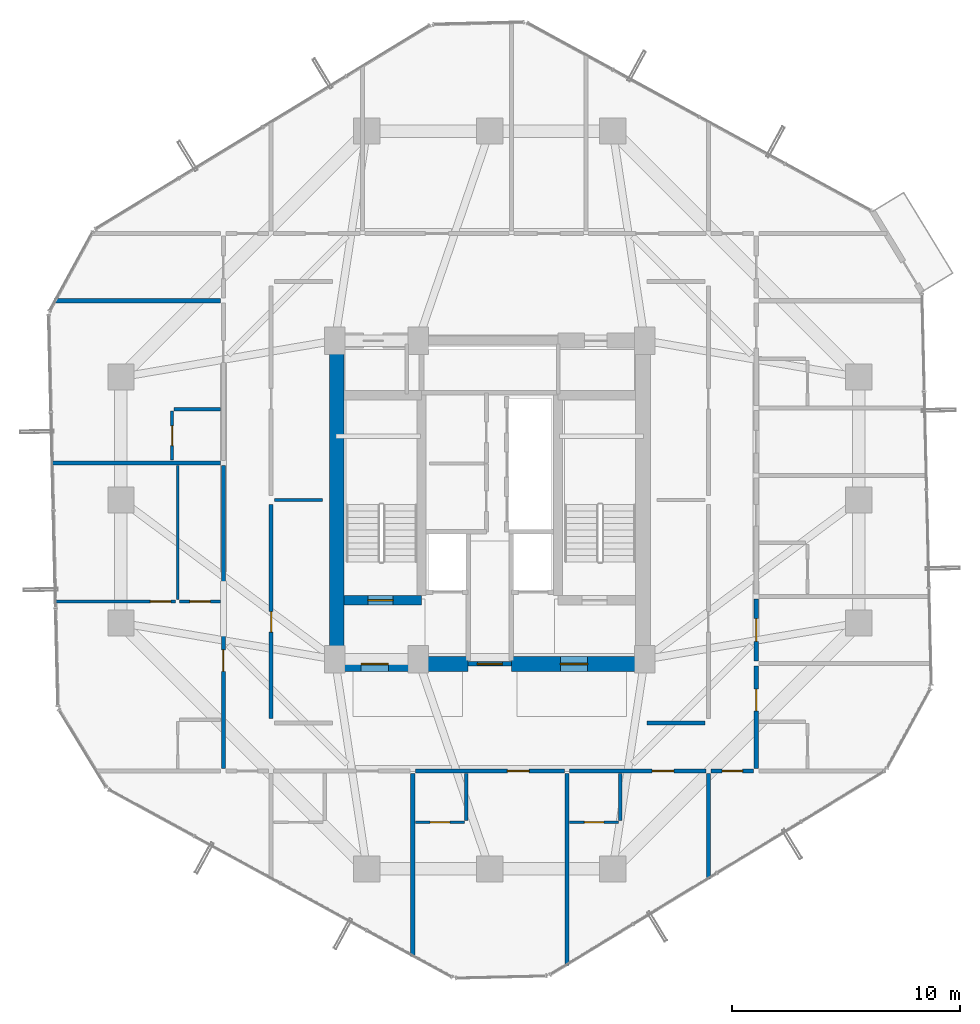
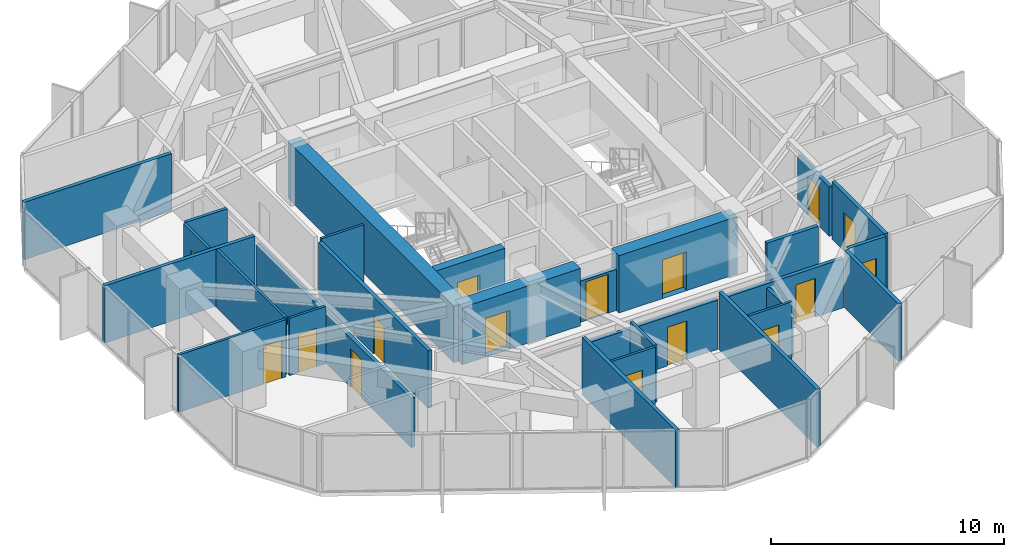
# One storey, part 26 of 31: 28 walls, 16 doors, 16 openings.
"""IFC4 building model written with IfcOpenShell, lengths in metres."""

from ifc_helpers import new_model, si_unit, direction, frame, frame_2d, origin, place, context, subcontext, project, spatial, rectangle, extrude, source, transform, mapped, material, layer, layer_set, type_object, element, fill, save


model = new_model("IFC4")

# Units and contexts
model_context = context("Model", 3, precision=1e-05, world=origin(), true_north=direction((0.0, 1.0)))
body_context = subcontext(model_context, "Body", "Model", "MODEL_VIEW")
ifc_project = project(units=[si_unit("LENGTHUNIT", "METRE"), si_unit("AREAUNIT", "SQUARE_METRE"), si_unit("VOLUMEUNIT", "CUBIC_METRE"), si_unit("PLANEANGLEUNIT", "RADIAN"), si_unit("MASSUNIT", "GRAM", prefix="KILO")], contexts=[model_context])

# Site, building, storey
site_placement = place(None, origin())
site = spatial("IfcSite", under=ifc_project, at=site_placement, CompositionType="ELEMENT")
building_placement = place(site_placement, origin())
building = spatial("IfcBuilding", under=site, at=building_placement, Name="Veraguas Prism Commons", CompositionType="ELEMENT")
storey_placement = place(building_placement, frame((0.0, 0.0, 132.75)))
storey = spatial("IfcBuildingStorey", under=building, at=storey_placement, Name="L37", CompositionType="ELEMENT", Elevation=132.75)

# Wall, opening, door
ifc_material_1 = material(Name="Concrete C50/60", Category="concrete")
ifc_layer_1 = layer(ifc_material_1, 0.39990234375, Name="Clinic and Mid Core Shear Wall RC 400", Category="concrete")
ifc_layer_set_1 = layer_set([ifc_layer_1], Name="Concrete C50/60")
wall_type_1 = type_object("IfcWallType", Name="Clinic and Mid Core Shear Wall RC 400", PredefinedType="SHEAR", material=ifc_layer_set_1)
wall_1_placement = place(storey_placement, frame((17.60009765625, 19.60009765625, 0.0), z_axis=(0.0, 0.0, 1.0), x_axis=(1.0, 0.0, 0.0)))
wall_1 = element("IfcWall", 1, at=wall_1_placement, inside=storey, type_object=wall_type_1, Name="Stair ST-01 South Shear Wall L37", PredefinedType="SHEAR", context=body_context, shape_type="SweptSolid", body=[
    extrude(rectangle(XDim=3.39990234375, YDim=0.39990234375, at=frame_2d((1.699951171875, 0.0))), origin(), (0.0, 0.0, 1.0), 3.0),
])
opening_1_placement = place(wall_1_placement, frame((1.050048828125, 0.0, 0.0)))
opening_1 = element("IfcOpeningElement", 2, at=opening_1_placement, cuts=wall_1, Name="Opening DR-05", PredefinedType="OPENING", context=body_context, shape_type="SweptSolid", body=[
    extrude(rectangle(XDim=1.10009765625, YDim=2.030029296875, at=frame_2d((0.550048828125, 1.01513671875))), frame((0.0, 0.2099609375, 0.0), z_axis=(0.0, -1.0, 0.0), x_axis=(1.0, 0.0, 0.0)), (0.0, 0.0, 1.0), 0.419921875),
])
ifc_material_2 = material(Name="Steel fire-rated door assembly", Category="steel")
door_type_1 = type_object("IfcDoorType", Name="Protected Stair and Refuge Fire Door 1100x2030", OperationType="NOTDEFINED", PredefinedType="DOOR", material=ifc_material_2)
shared_shape_1 = source(origin(), body_context, "Body", "SweptSolid", [
    extrude(rectangle(XDim=1.10009765625, YDim=2.030029296875, at=frame_2d((0.550048828125, 1.01513671875))), frame((0.0, 0.02490234375, 0.0), z_axis=(0.0, -1.0, 0.0), x_axis=(1.0, 0.0, 0.0)), (0.0, 0.0, 1.0), 0.050048828125),
])
door_1_placement = place(opening_1_placement, origin())
door_1 = element("IfcDoor", 3, at=door_1_placement, inside=storey, type_object=door_type_1, Name="Stair ST-01 Enclosure Door L37", OperationType="SINGLE_SWING_LEFT", OverallHeight=2.030029296875, OverallWidth=1.10009765625, PredefinedType="DOOR", context=body_context, shape_type="MappedRepresentation", body=[
    mapped(shared_shape_1, transform((0.0, 0.0, 0.0), scale=1.0)),
])
fill(opening_1, door_1)

# Wall
ifc_material_3 = material(Name="Concrete C55/67", Category="concrete")
ifc_layer_2 = layer(ifc_material_3, 0.64990234375, Name="Core Outer Shear Wall Mid RC 650", Category="concrete")
ifc_layer_set_2 = layer_set([ifc_layer_2], Name="Concrete C55/67")
wall_type_2 = type_object("IfcWallType", Name="Core Outer Shear Wall Mid RC 650", PredefinedType="SHEAR", material=ifc_layer_set_2)
wall_2_placement = place(storey_placement, frame((17.27490234375, 16.800048828125, 0.0), z_axis=(0.0, 0.0, 1.0), x_axis=(0.0, 1.0, 0.0)))
element("IfcWall", 4, at=wall_2_placement, inside=storey, type_object=wall_type_2, Name="Central Core West Shear Wall L37", PredefinedType="SHEAR", context=body_context, shape_type="SweptSolid", body=[
    extrude(rectangle(XDim=14.199951171875, YDim=0.64990234375, at=frame_2d((7.10009765625, 0.0))), origin(), (0.0, 0.0, 1.0), 3.0),
])

# Wall, opening, door
wall_3_placement = place(storey_placement, frame((17.199951171875, 16.800048828125, 0.0), z_axis=(0.0, 0.0, 1.0), x_axis=(1.0, 0.0, 0.0)))
wall_3 = element("IfcWall", 5, at=wall_3_placement, inside=storey, type_object=wall_type_2, Name="Central Core South-West Shear Wall L37", PredefinedType="SHEAR", context=body_context, shape_type="SweptSolid", body=[
    extrude(rectangle(XDim=5.85009765625, YDim=0.64990234375, at=frame_2d((2.925048828125, 0.0))), origin(), (0.0, 0.0, 1.0), 3.0),
])
opening_2_placement = place(wall_3_placement, frame((1.14990234375, 0.0, 0.0)))
opening_2 = element("IfcOpeningElement", 6, at=opening_2_placement, cuts=wall_3, Name="Opening DR-06", PredefinedType="OPENING", context=body_context, shape_type="SweptSolid", body=[
    extrude(rectangle(XDim=1.199951171875, YDim=2.030029296875, at=frame_2d((0.60009765625, 1.01513671875))), frame((0.0, 0.3349609375, 0.0), z_axis=(0.0, -1.0, 0.0), x_axis=(1.0, 0.0, 0.0)), (0.0, 0.0, 1.0), 0.669921875),
])
door_type_2 = type_object("IfcDoorType", Name="Firefighting Lobby Smoke Door 1200x2030", OperationType="NOTDEFINED", PredefinedType="DOOR", material=ifc_material_2)
shared_shape_2 = source(origin(), body_context, "Body", "SweptSolid", [
    extrude(rectangle(XDim=1.199951171875, YDim=2.030029296875, at=frame_2d((0.60009765625, 1.01513671875))), frame((0.0, 0.02490234375, 0.0), z_axis=(0.0, -1.0, 0.0), x_axis=(1.0, 0.0, 0.0)), (0.0, 0.0, 1.0), 0.050048828125),
])
door_2_placement = place(opening_2_placement, origin())
door_2 = element("IfcDoor", 7, at=door_2_placement, inside=storey, type_object=door_type_2, Name="West FF Lobby Door L37", OperationType="SINGLE_SWING_RIGHT", OverallHeight=2.030029296875, OverallWidth=1.199951171875, PredefinedType="DOOR", context=body_context, shape_type="MappedRepresentation", body=[
    mapped(shared_shape_2, transform((0.0, 0.0, 0.0), scale=1.0)),
])
fill(opening_2, door_2)

wall_4_placement = place(storey_placement, frame((24.949951171875, 16.800048828125, 0.0), z_axis=(0.0, 0.0, 1.0), x_axis=(1.0, 0.0, 0.0)))
wall_4 = element("IfcWall", 8, at=wall_4_placement, inside=storey, type_object=wall_type_2, Name="Central Core South-East Shear Wall L37", PredefinedType="SHEAR", context=body_context, shape_type="SweptSolid", body=[
    extrude(rectangle(XDim=5.85009765625, YDim=0.64990234375, at=frame_2d((2.925048828125, 0.0))), origin(), (0.0, 0.0, 1.0), 3.0),
])
opening_3_placement = place(wall_4_placement, frame((2.14990234375, 0.0, 0.0)))
opening_3 = element("IfcOpeningElement", 9, at=opening_3_placement, cuts=wall_4, Name="Opening DR-06", PredefinedType="OPENING", context=body_context, shape_type="SweptSolid", body=[
    extrude(rectangle(XDim=1.199951171875, YDim=2.030029296875, at=frame_2d((0.60009765625, 1.01513671875))), frame((0.0, 0.3349609375, 0.0), z_axis=(0.0, -1.0, 0.0), x_axis=(1.0, 0.0, 0.0)), (0.0, 0.0, 1.0), 0.669921875),
])
door_3_placement = place(opening_3_placement, origin())
door_3 = element("IfcDoor", 10, at=door_3_placement, inside=storey, type_object=door_type_2, Name="East FF Lobby Door L37", OperationType="SINGLE_SWING_RIGHT", OverallHeight=2.030029296875, OverallWidth=1.199951171875, PredefinedType="DOOR", context=body_context, shape_type="MappedRepresentation", body=[
    mapped(shared_shape_2, transform((0.0, 0.0, 0.0), scale=1.0)),
])
fill(opening_3, door_3)

ifc_material_4 = material(Name="Autoclaved aerated masonry block 10 MPa", Category="masonry")
ifc_layer_3 = layer(ifc_material_4, 0.179931640625, Name="Corridor and Inter-Tenancy Partition 180", Category="masonry")
ifc_layer_set_3 = layer_set([ifc_layer_3], Name="Autoclaved aerated masonry block 10 MPa")
wall_type_3 = type_object("IfcWallType", Name="Corridor and Inter-Tenancy Partition 180", PredefinedType="PARTITIONING", material=ifc_layer_set_3)
wall_5_placement = place(storey_placement, frame((14.39990234375, 14.39990234375, 0.0), z_axis=(0.0, 0.0, 1.0), x_axis=(0.0, 1.0, 0.0)))
wall_5 = element("IfcWall", 11, at=wall_5_placement, inside=storey, type_object=wall_type_3, Name="WL-L37-IRW1", PredefinedType="PARTITIONING", context=body_context, shape_type="SweptSolid", body=[
    extrude(rectangle(XDim=9.400146484375, YDim=0.179931640625, at=frame_2d((4.7001953125, 0.0))), origin(), (0.0, 0.0, 1.0), 3.0),
])
opening_4_placement = place(wall_5_placement, frame((3.800048828125, 0.0, 0.0)))
opening_4 = element("IfcOpeningElement", 12, at=opening_4_placement, cuts=wall_5, Name="Opening DR-14", PredefinedType="OPENING", context=body_context, shape_type="SweptSolid", body=[
    extrude(rectangle(XDim=0.89990234375, YDim=2.010009765625, at=frame_2d((0.449951171875, 1.0048828125))), frame((0.0, 0.099853515625, 0.0), z_axis=(0.0, -1.0, 0.0), x_axis=(1.0, 0.0, 0.0)), (0.0, 0.0, 1.0), 0.199951171875),
])
door_type_3 = type_object("IfcDoorType", Name="Core Service Room Fire Door 900x2010", OperationType="NOTDEFINED", PredefinedType="DOOR", material=ifc_material_2)
shared_shape_3 = source(origin(), body_context, "Body", "SweptSolid", [
    extrude(rectangle(XDim=0.89990234375, YDim=2.010009765625, at=frame_2d((0.449951171875, 1.0048828125))), frame((0.0, 0.02490234375, 0.0), z_axis=(0.0, -1.0, 0.0), x_axis=(1.0, 0.0, 0.0)), (0.0, 0.0, 1.0), 0.050048828125),
])
door_4_placement = place(opening_4_placement, origin())
door_4 = element("IfcDoor", 13, at=door_4_placement, inside=storey, type_object=door_type_3, Name="Residents Quiet Study Pod Door L37", OperationType="SINGLE_SWING_LEFT", OverallHeight=2.010009765625, OverallWidth=0.89990234375, PredefinedType="DOOR", context=body_context, shape_type="MappedRepresentation", body=[
    mapped(shared_shape_3, transform((0.0, 0.0, 0.0), scale=1.0)),
])
fill(opening_4, door_4)

# Walls
wall_6_placement = place(storey_placement, frame((30.89990234375, 14.199951171875, 0.0), z_axis=(0.0, 0.0, 1.0), x_axis=(1.0, 0.0, 0.0)))
element("IfcWall", 14, at=wall_6_placement, inside=storey, type_object=wall_type_3, Name="WL-L37-IRES", PredefinedType="PARTITIONING", context=body_context, shape_type="SweptSolid", body=[
    extrude(rectangle(XDim=2.550048828125, YDim=0.179931640625, at=frame_2d((1.27490234375, 0.0))), origin(), (0.0, 0.0, 1.0), 3.0),
])
wall_7_placement = place(storey_placement, frame((33.60009765625, 11.97998046875, 0.0), z_axis=(0.0, 0.0, 1.0), x_axis=(0.0, -1.0, 0.0)))
element("IfcWall", 15, at=wall_7_placement, inside=storey, type_object=wall_type_3, Name="WL-L37-PT002", PredefinedType="PARTITIONING", context=body_context, shape_type="SweptSolid", body=[
    extrude(rectangle(XDim=4.628662109375, YDim=0.179931640625, at=frame_2d((2.314453125, 0.0))), origin(), (0.0, 0.0, 1.0), 3.0),
])
wall_8_placement = place(storey_placement, frame((20.615966796875, 11.97998046875, 0.0), z_axis=(0.0, 0.0, 1.0), x_axis=(0.0, -1.0, 0.0)))
element("IfcWall", 16, at=wall_8_placement, inside=storey, type_object=wall_type_3, Name="WL-L37-PT006", PredefinedType="PARTITIONING", context=body_context, shape_type="SweptSolid", body=[
    extrude(rectangle(XDim=8.022705078125, YDim=0.179931640625, at=frame_2d((4.01123046875, 0.0))), origin(), (0.0, 0.0, 1.0), 3.0),
])

# Wall, opening, door
wall_9_placement = place(storey_placement, frame((20.72607421875, 12.10009765625, 0.0), z_axis=(0.0, 0.0, 1.0), x_axis=(1.0, 0.0, 0.0)))
wall_9 = element("IfcWall", 17, at=wall_9_placement, inside=storey, type_object=wall_type_3, Name="WL-L37-PT007", PredefinedType="PARTITIONING", context=body_context, shape_type="SweptSolid", body=[
    extrude(rectangle(XDim=6.5478515625, YDim=0.179931640625, at=frame_2d((3.27392578125, 0.0))), origin(), (0.0, 0.0, 1.0), 2.580078125),
])
opening_5_placement = place(wall_9_placement, frame((4.04638671875, 0.0, 0.0)))
opening_5 = element("IfcOpeningElement", 18, at=opening_5_placement, cuts=wall_9, Name="Opening DR-01", PredefinedType="OPENING", context=body_context, shape_type="SweptSolid", body=[
    extrude(rectangle(XDim=0.949951171875, YDim=2.02001953125, at=frame_2d((0.47509765625, 1.010009765625))), frame((0.0, 0.099853515625, 0.0), z_axis=(0.0, -1.0, 0.0), x_axis=(1.0, 0.0, 0.0)), (0.0, 0.0, 1.0), 0.199951171875),
])
ifc_material_5 = material(Name="Anodised aluminium EN AW-6063 T6", Category="aluminium")
door_type_4 = type_object("IfcDoorType", Name="Apartment Entrance Fire Door 950x2020", OperationType="NOTDEFINED", PredefinedType="DOOR", material=ifc_material_5)
shared_shape_4 = source(origin(), body_context, "Body", "SweptSolid", [
    extrude(rectangle(XDim=0.949951171875, YDim=2.02001953125, at=frame_2d((0.47509765625, 1.010009765625))), frame((0.0, 0.02490234375, 0.0), z_axis=(0.0, -1.0, 0.0), x_axis=(1.0, 0.0, 0.0)), (0.0, 0.0, 1.0), 0.050048828125),
])
door_5_placement = place(opening_5_placement, origin())
door_5 = element("IfcDoor", 19, at=door_5_placement, inside=storey, type_object=door_type_4, Name="Studio 37B Entrance Door", OperationType="SINGLE_SWING_LEFT", OverallHeight=2.02001953125, OverallWidth=0.949951171875, PredefinedType="DOOR", context=body_context, shape_type="MappedRepresentation", body=[
    mapped(shared_shape_4, transform((0.0, 0.0, 0.0), scale=1.0)),
])
fill(opening_5, door_5)

# Wall
wall_10_placement = place(storey_placement, frame((27.384033203125, 11.97998046875, 0.0), z_axis=(0.0, 0.0, 1.0), x_axis=(0.0, -1.0, 0.0)))
element("IfcWall", 20, at=wall_10_placement, inside=storey, type_object=wall_type_3, Name="WL-L37-PT010", PredefinedType="PARTITIONING", context=body_context, shape_type="SweptSolid", body=[
    extrude(rectangle(XDim=8.4169921875, YDim=0.179931640625, at=frame_2d((4.20849609375, 0.0))), origin(), (0.0, 0.0, 1.0), 3.0),
])

# Wall, opening, door
wall_11_placement = place(storey_placement, frame((27.493896484375, 12.10009765625, 0.0), z_axis=(0.0, 0.0, 1.0), x_axis=(1.0, 0.0, 0.0)))
wall_11 = element("IfcWall", 21, at=wall_11_placement, inside=storey, type_object=wall_type_3, Name="WL-L37-PT011", PredefinedType="PARTITIONING", context=body_context, shape_type="SweptSolid", body=[
    extrude(rectangle(XDim=5.99609375, YDim=0.179931640625, at=frame_2d((2.998046875, 0.0))), origin(), (0.0, 0.0, 1.0), 2.580078125),
])
opening_6_placement = place(wall_11_placement, frame((3.637939453125, 0.0, 0.0)))
opening_6 = element("IfcOpeningElement", 22, at=opening_6_placement, cuts=wall_11, Name="Opening DR-01", PredefinedType="OPENING", context=body_context, shape_type="SweptSolid", body=[
    extrude(rectangle(XDim=0.949951171875, YDim=2.02001953125, at=frame_2d((0.47509765625, 1.010009765625))), frame((0.0, 0.099853515625, 0.0), z_axis=(0.0, -1.0, 0.0), x_axis=(1.0, 0.0, 0.0)), (0.0, 0.0, 1.0), 0.199951171875),
])
door_6_placement = place(opening_6_placement, origin())
door_6 = element("IfcDoor", 23, at=door_6_placement, inside=storey, type_object=door_type_4, Name="Studio 37C Entrance Door", OperationType="SINGLE_SWING_LEFT", OverallHeight=2.02001953125, OverallWidth=0.949951171875, PredefinedType="DOOR", context=body_context, shape_type="MappedRepresentation", body=[
    mapped(shared_shape_4, transform((0.0, 0.0, 0.0), scale=1.0)),
])
fill(opening_6, door_6)

wall_12_placement = place(storey_placement, frame((12.300048828125, 12.2099609375, 0.0), z_axis=(0.0, 0.0, 1.0), x_axis=(0.0, 1.0, 0.0)))
wall_12 = element("IfcWall", 24, at=wall_12_placement, inside=storey, type_object=wall_type_3, Name="WL-L37-PT025", PredefinedType="PARTITIONING", context=body_context, shape_type="SweptSolid", body=[
    extrude(rectangle(XDim=13.30810546875, YDim=0.179931640625, at=frame_2d((6.654052734375, 0.0))), origin(), (0.0, 0.0, 1.0), 2.580078125),
])
opening_7_placement = place(wall_12_placement, frame((4.260009765625, 0.0, 0.0)))
opening_7 = element("IfcOpeningElement", 25, at=opening_7_placement, cuts=wall_12, Name="Opening DR-01", PredefinedType="OPENING", context=body_context, shape_type="SweptSolid", body=[
    extrude(rectangle(XDim=0.949951171875, YDim=2.02001953125, at=frame_2d((0.47509765625, 1.010009765625))), frame((0.0, 0.099853515625, 0.0), z_axis=(0.0, -1.0, 0.0), x_axis=(1.0, 0.0, 0.0)), (0.0, 0.0, 1.0), 0.199951171875),
])
door_7_placement = place(opening_7_placement, origin())
door_7 = element("IfcDoor", 26, at=door_7_placement, inside=storey, type_object=door_type_4, Name="Flat 37D Entrance Door", OperationType="SINGLE_SWING_LEFT", OverallHeight=2.02001953125, OverallWidth=0.949951171875, PredefinedType="DOOR", context=body_context, shape_type="MappedRepresentation", body=[
    mapped(shared_shape_4, transform((0.0, 0.0, 0.0), scale=1.0)),
])
fill(opening_7, door_7)

# Walls
wall_13_placement = place(storey_placement, frame((12.179931640625, 25.6279296875, 0.0), z_axis=(0.0, 0.0, 1.0), x_axis=(-1.0, 0.0, 0.0)))
element("IfcWall", 27, at=wall_13_placement, inside=storey, type_object=wall_type_3, Name="WL-L37-PT031", PredefinedType="PARTITIONING", context=body_context, shape_type="SweptSolid", body=[
    extrude(rectangle(XDim=7.4365234375, YDim=0.179931640625, at=frame_2d((3.71826171875, 0.0))), origin(), (0.0, 0.0, 1.0), 3.0),
])
wall_14_placement = place(storey_placement, frame((12.179931640625, 32.75, 0.0), z_axis=(0.0, 0.0, 1.0), x_axis=(-1.0, 0.0, 0.0)))
element("IfcWall", 28, at=wall_14_placement, inside=storey, type_object=wall_type_3, Name="WL-L37-PT033", PredefinedType="PARTITIONING", context=body_context, shape_type="SweptSolid", body=[
    extrude(rectangle(XDim=7.307373046875, YDim=0.179931640625, at=frame_2d((3.65380859375, 0.0))), origin(), (0.0, 0.0, 1.0), 3.0),
])

# Wall, opening, door
wall_15_placement = place(storey_placement, frame((35.699951171875, 16.927978515625, 0.0), z_axis=(0.0, 0.0, 1.0), x_axis=(0.0, 1.0, 0.0)))
wall_15 = element("IfcWall", 29, at=wall_15_placement, inside=storey, type_object=wall_type_3, Name="WL-L37-PT039", PredefinedType="PARTITIONING", context=body_context, shape_type="SweptSolid", body=[
    extrude(rectangle(XDim=2.72998046875, YDim=0.179931640625, at=frame_2d((1.364990234375, 0.0))), origin(), (0.0, 0.0, 1.0), 2.580078125),
])
opening_8_placement = place(wall_15_placement, frame((0.864990234375, 0.0, 0.0)))
opening_8 = element("IfcOpeningElement", 30, at=opening_8_placement, cuts=wall_15, Name="Opening DR-13", PredefinedType="OPENING", context=body_context, shape_type="SweptSolid", body=[
    extrude(rectangle(XDim=1.0, YDim=2.010009765625, at=frame_2d((0.5, 1.0048828125))), frame((0.0, 0.099853515625, 0.0), z_axis=(0.0, -1.0, 0.0), x_axis=(1.0, 0.0, 0.0)), (0.0, 0.0, 1.0), 0.199951171875),
])
door_type_5 = type_object("IfcDoorType", Name="Core Accessible WC and Clinic Fire Door 1000x2010", OperationType="NOTDEFINED", PredefinedType="DOOR", material=ifc_material_2)
shared_shape_5 = source(origin(), body_context, "Body", "SweptSolid", [
    extrude(rectangle(XDim=1.0, YDim=2.010009765625, at=frame_2d((0.5, 1.0048828125))), frame((0.0, 0.02490234375, 0.0), z_axis=(0.0, -1.0, 0.0), x_axis=(1.0, 0.0, 0.0)), (0.0, 0.0, 1.0), 0.050048828125),
])
door_8_placement = place(opening_8_placement, origin())
door_8 = element("IfcDoor", 31, at=door_8_placement, inside=storey, type_object=door_type_5, Name="Quiet Study E Door", OperationType="SINGLE_SWING_RIGHT", OverallHeight=2.010009765625, OverallWidth=1.0, PredefinedType="DOOR", context=body_context, shape_type="MappedRepresentation", body=[
    mapped(shared_shape_5, transform((0.0, 0.0, 0.0), scale=1.0)),
])
fill(opening_8, door_8)

wall_16_placement = place(storey_placement, frame((35.699951171875, 12.2099609375, 0.0), z_axis=(0.0, 0.0, 1.0), x_axis=(0.0, 1.0, 0.0)))
wall_16 = element("IfcWall", 32, at=wall_16_placement, inside=storey, type_object=wall_type_3, Name="WL-L37-PT041", PredefinedType="PARTITIONING", context=body_context, shape_type="SweptSolid", body=[
    extrude(rectangle(XDim=4.498046875, YDim=0.179931640625, at=frame_2d((2.2490234375, 0.0))), origin(), (0.0, 0.0, 1.0), 3.0),
])
opening_9_placement = place(wall_16_placement, frame((2.529541015625, 0.0, 0.0)))
opening_9 = element("IfcOpeningElement", 33, at=opening_9_placement, cuts=wall_16, Name="Opening DR-01", PredefinedType="OPENING", context=body_context, shape_type="SweptSolid", body=[
    extrude(rectangle(XDim=0.949951171875, YDim=2.02001953125, at=frame_2d((0.47509765625, 1.010009765625))), frame((0.0, 0.099853515625, 0.0), z_axis=(0.0, -1.0, 0.0), x_axis=(1.0, 0.0, 0.0)), (0.0, 0.0, 1.0), 0.199951171875),
])
door_9_placement = place(opening_9_placement, origin())
door_9 = element("IfcDoor", 34, at=door_9_placement, inside=storey, type_object=door_type_4, Name="Studio 37F Entrance Door", OperationType="SINGLE_SWING_LEFT", OverallHeight=2.02001953125, OverallWidth=0.949951171875, PredefinedType="DOOR", context=body_context, shape_type="MappedRepresentation", body=[
    mapped(shared_shape_4, transform((0.0, 0.0, 0.0), scale=1.0)),
])
fill(opening_9, door_9)

wall_17_placement = place(storey_placement, frame((33.719970703125, 12.10009765625, 0.0), z_axis=(0.0, 0.0, 1.0), x_axis=(1.0, 0.0, 0.0)))
wall_17 = element("IfcWall", 35, at=wall_17_placement, inside=storey, type_object=wall_type_3, Name="WL-L37-PT057", PredefinedType="PARTITIONING", context=body_context, shape_type="SweptSolid", body=[
    extrude(rectangle(XDim=1.860107421875, YDim=0.179931640625, at=frame_2d((0.93017578125, 0.0))), origin(), (0.0, 0.0, 1.0), 3.0),
])
opening_10_placement = place(wall_17_placement, frame((0.47998046875, 0.0, 0.0)))
opening_10 = element("IfcOpeningElement", 36, at=opening_10_placement, cuts=wall_17, Name="Opening DR-14", PredefinedType="OPENING", context=body_context, shape_type="SweptSolid", body=[
    extrude(rectangle(XDim=0.89990234375, YDim=2.010009765625, at=frame_2d((0.449951171875, 1.0048828125))), frame((0.0, 0.099853515625, 0.0), z_axis=(0.0, -1.0, 0.0), x_axis=(1.0, 0.0, 0.0)), (0.0, 0.0, 1.0), 0.199951171875),
])
door_10_placement = place(opening_10_placement, origin())
door_10 = element("IfcDoor", 37, at=door_10_placement, inside=storey, type_object=door_type_3, Name="Corner Study SE Door", OperationType="SINGLE_SWING_RIGHT", OverallHeight=2.010009765625, OverallWidth=0.89990234375, PredefinedType="DOOR", context=body_context, shape_type="MappedRepresentation", body=[
    mapped(shared_shape_3, transform((0.0, 0.0, 0.0), scale=1.0)),
])
fill(opening_10, door_10)

# Wall
ifc_material_6 = material(Name="Lightweight acoustic gypsum board")
ifc_layer_4 = layer(ifc_material_6, 0.125, Name="Internal Apartment Room Partition 125")
ifc_layer_set_4 = layer_set([ifc_layer_4], Name="Lightweight acoustic gypsum board")
wall_type_4 = type_object("IfcWallType", Name="Internal Apartment Room Partition 125", PredefinedType="PARTITIONING", material=ifc_layer_set_4)
wall_18_placement = place(storey_placement, frame((14.550048828125, 24.0, 0.0), z_axis=(0.0, 0.0, 1.0), x_axis=(1.0, 0.0, 0.0)))
element("IfcWall", 38, at=wall_18_placement, inside=storey, type_object=wall_type_4, Name="WL-L37-IRWM", PredefinedType="PARTITIONING", context=body_context, shape_type="SweptSolid", body=[
    extrude(rectangle(XDim=2.099853515625, YDim=0.125, at=frame_2d((1.0498046875, 0.0))), origin(), (0.0, 0.0, 1.0), 3.0),
])

# Wall, opening, door
wall_19_placement = place(storey_placement, frame((20.736083984375, 9.85009765625, 0.0), z_axis=(0.0, 0.0, 1.0), x_axis=(1.0, 0.0, 0.0)))
wall_19 = element("IfcWall", 39, at=wall_19_placement, inside=storey, type_object=wall_type_4, Name="WL-L37-PT009", PredefinedType="PARTITIONING", context=body_context, shape_type="SweptSolid", body=[
    extrude(rectangle(XDim=2.14990234375, YDim=0.125, at=frame_2d((1.074951171875, 0.0))), origin(), (0.0, 0.0, 1.0), 3.0),
])
opening_11_placement = place(wall_19_placement, frame((0.64501953125, 0.0, 0.0)))
opening_11 = element("IfcOpeningElement", 40, at=opening_11_placement, cuts=wall_19, Name="Opening DR-03", PredefinedType="OPENING", context=body_context, shape_type="SweptSolid", body=[
    extrude(rectangle(XDim=0.860107421875, YDim=2.010009765625, at=frame_2d((0.43017578125, 1.0048828125))), frame((0.0, 0.072509765625, 0.0), z_axis=(0.0, -1.0, 0.0), x_axis=(1.0, 0.0, 0.0)), (0.0, 0.0, 1.0), 0.14501953125),
])
ifc_material_7 = material(Name="Timber moisture-resistant leaf", Category="wood")
door_type_6 = type_object("IfcDoorType", Name="Internal Bathroom Door 860x2010", OperationType="NOTDEFINED", PredefinedType="DOOR", material=ifc_material_7)
shared_shape_6 = source(origin(), body_context, "Body", "SweptSolid", [
    extrude(rectangle(XDim=0.860107421875, YDim=2.010009765625, at=frame_2d((0.43017578125, 1.0048828125))), frame((0.0, 0.02490234375, 0.0), z_axis=(0.0, -1.0, 0.0), x_axis=(1.0, 0.0, 0.0)), (0.0, 0.0, 1.0), 0.050048828125),
])
door_11_placement = place(opening_11_placement, origin())
door_11 = element("IfcDoor", 41, at=door_11_placement, inside=storey, type_object=door_type_6, Name="Studio 37B Bathroom Door", OperationType="SINGLE_SWING_RIGHT", OverallHeight=2.010009765625, OverallWidth=0.860107421875, PredefinedType="DOOR", context=body_context, shape_type="MappedRepresentation", body=[
    mapped(shared_shape_6, transform((0.0, 0.0, 0.0), scale=1.0)),
])
fill(opening_11, door_11)

wall_20_placement = place(storey_placement, frame((27.50390625, 9.85009765625, 0.0), z_axis=(0.0, 0.0, 1.0), x_axis=(1.0, 0.0, 0.0)))
wall_20 = element("IfcWall", 42, at=wall_20_placement, inside=storey, type_object=wall_type_4, Name="WL-L37-PT013", PredefinedType="PARTITIONING", context=body_context, shape_type="SweptSolid", body=[
    extrude(rectangle(XDim=2.150146484375, YDim=0.125, at=frame_2d((1.0751953125, 0.0))), origin(), (0.0, 0.0, 1.0), 3.0),
])
opening_12_placement = place(wall_20_placement, frame((0.64501953125, 0.0, 0.0)))
opening_12 = element("IfcOpeningElement", 43, at=opening_12_placement, cuts=wall_20, Name="Opening DR-03", PredefinedType="OPENING", context=body_context, shape_type="SweptSolid", body=[
    extrude(rectangle(XDim=0.860107421875, YDim=2.010009765625, at=frame_2d((0.43017578125, 1.0048828125))), frame((0.0, 0.072509765625, 0.0), z_axis=(0.0, -1.0, 0.0), x_axis=(1.0, 0.0, 0.0)), (0.0, 0.0, 1.0), 0.14501953125),
])
door_12_placement = place(opening_12_placement, origin())
door_12 = element("IfcDoor", 44, at=door_12_placement, inside=storey, type_object=door_type_6, Name="Studio 37C Bathroom Door", OperationType="SINGLE_SWING_RIGHT", OverallHeight=2.010009765625, OverallWidth=0.860107421875, PredefinedType="DOOR", context=body_context, shape_type="MappedRepresentation", body=[
    mapped(shared_shape_6, transform((0.0, 0.0, 0.0), scale=1.0)),
])
fill(opening_12, door_12)

wall_21_placement = place(storey_placement, frame((12.179931640625, 19.5400390625, 0.0), z_axis=(0.0, 0.0, 1.0), x_axis=(-1.0, 0.0, 0.0)))
wall_21 = element("IfcWall", 45, at=wall_21_placement, inside=storey, type_object=wall_type_4, Name="WL-L37-PT028", PredefinedType="PARTITIONING", context=body_context, shape_type="SweptSolid", body=[
    extrude(rectangle(XDim=1.800048828125, YDim=0.125, at=frame_2d((0.89990234375, 0.0))), origin(), (0.0, 0.0, 1.0), 3.0),
])
opening_13_placement = place(wall_21_placement, frame((0.449951171875, 0.0, 0.0)))
opening_13 = element("IfcOpeningElement", 46, at=opening_13_placement, cuts=wall_21, Name="Opening DR-02", PredefinedType="OPENING", context=body_context, shape_type="SweptSolid", body=[
    extrude(rectangle(XDim=0.89990234375, YDim=2.010009765625, at=frame_2d((0.449951171875, 1.0048828125))), frame((0.0, 0.072509765625, 0.0), z_axis=(0.0, -1.0, 0.0), x_axis=(1.0, 0.0, 0.0)), (0.0, 0.0, 1.0), 0.14501953125),
])
ifc_material_8 = material(Name="Timber solid core hardwood", Category="wood")
door_type_7 = type_object("IfcDoorType", Name="Internal Habitable Room Door 900x2010", OperationType="NOTDEFINED", PredefinedType="DOOR", material=ifc_material_8)
door_13_placement = place(opening_13_placement, origin())
door_13 = element("IfcDoor", 47, at=door_13_placement, inside=storey, type_object=door_type_7, Name="Flat 37D Kitchen Door", OperationType="SINGLE_SWING_LEFT", OverallHeight=2.010009765625, OverallWidth=0.89990234375, PredefinedType="DOOR", context=body_context, shape_type="MappedRepresentation", body=[
    mapped(shared_shape_3, transform((0.0, 0.0, 0.0), scale=1.0)),
])
fill(opening_13, door_13)

# Wall
wall_22_placement = place(storey_placement, frame((10.300048828125, 19.639892578125, 0.0), z_axis=(0.0, 0.0, 1.0), x_axis=(0.0, 1.0, 0.0)))
element("IfcWall", 48, at=wall_22_placement, inside=storey, type_object=wall_type_4, Name="WL-L37-PT029", PredefinedType="PARTITIONING", context=body_context, shape_type="SweptSolid", body=[
    extrude(rectangle(XDim=5.8681640625, YDim=0.125, at=frame_2d((2.93408203125, 0.0))), origin(), (0.0, 0.0, 1.0), 3.0),
])

# Wall, opening, door
wall_23_placement = place(storey_placement, frame((10.199951171875, 19.5400390625, 0.0), z_axis=(0.0, 0.0, 1.0), x_axis=(-1.0, 0.0, 0.0)))
wall_23 = element("IfcWall", 49, at=wall_23_placement, inside=storey, type_object=wall_type_4, Name="WL-L37-PT030", PredefinedType="PARTITIONING", context=body_context, shape_type="SweptSolid", body=[
    extrude(rectangle(XDim=5.31201171875, YDim=0.125, at=frame_2d((2.656005859375, 0.0))), origin(), (0.0, 0.0, 1.0), 3.0),
])
opening_14_placement = place(wall_23_placement, frame((0.199951171875, 0.0, 0.0)))
opening_14 = element("IfcOpeningElement", 50, at=opening_14_placement, cuts=wall_23, Name="Opening DR-02", PredefinedType="OPENING", context=body_context, shape_type="SweptSolid", body=[
    extrude(rectangle(XDim=0.89990234375, YDim=2.010009765625, at=frame_2d((0.449951171875, 1.0048828125))), frame((0.0, 0.072509765625, 0.0), z_axis=(0.0, -1.0, 0.0), x_axis=(1.0, 0.0, 0.0)), (0.0, 0.0, 1.0), 0.14501953125),
])
door_14_placement = place(opening_14_placement, origin())
door_14 = element("IfcDoor", 51, at=door_14_placement, inside=storey, type_object=door_type_7, Name="Flat 37D Bedroom 1 Door", OperationType="SINGLE_SWING_RIGHT", OverallHeight=2.010009765625, OverallWidth=0.89990234375, PredefinedType="DOOR", context=body_context, shape_type="MappedRepresentation", body=[
    mapped(shared_shape_3, transform((0.0, 0.0, 0.0), scale=1.0)),
])
fill(opening_14, door_14)

wall_24_placement = place(storey_placement, frame((10.050048828125, 25.748046875, 0.0), z_axis=(0.0, 0.0, 1.0), x_axis=(0.0, 1.0, 0.0)))
wall_24 = element("IfcWall", 52, at=wall_24_placement, inside=storey, type_object=wall_type_4, Name="WL-L37-PT036", PredefinedType="PARTITIONING", context=body_context, shape_type="SweptSolid", body=[
    extrude(rectangle(XDim=2.14990234375, YDim=0.125, at=frame_2d((1.074951171875, 0.0))), origin(), (0.0, 0.0, 1.0), 3.0),
])
opening_15_placement = place(wall_24_placement, frame((0.64501953125, 0.0, 0.0)))
opening_15 = element("IfcOpeningElement", 53, at=opening_15_placement, cuts=wall_24, Name="Opening DR-03", PredefinedType="OPENING", context=body_context, shape_type="SweptSolid", body=[
    extrude(rectangle(XDim=0.860107421875, YDim=2.010009765625, at=frame_2d((0.43017578125, 1.0048828125))), frame((0.0, 0.072509765625, 0.0), z_axis=(0.0, -1.0, 0.0), x_axis=(1.0, 0.0, 0.0)), (0.0, 0.0, 1.0), 0.14501953125),
])
door_15_placement = place(opening_15_placement, origin())
door_15 = element("IfcDoor", 54, at=door_15_placement, inside=storey, type_object=door_type_6, Name="Studio 37E Bathroom Door", OperationType="SINGLE_SWING_LEFT", OverallHeight=2.010009765625, OverallWidth=0.860107421875, PredefinedType="DOOR", context=body_context, shape_type="MappedRepresentation", body=[
    mapped(shared_shape_6, transform((0.0, 0.0, 0.0), scale=1.0)),
])
fill(opening_15, door_15)

ifc_layer_5 = layer(ifc_material_4, 0.199951171875, Name="Rated Shaft and Lobby Block Wall 200", Category="masonry")
ifc_layer_set_5 = layer_set([ifc_layer_5], Name="Autoclaved aerated masonry block 10 MPa")
wall_type_5 = type_object("IfcWallType", Name="Rated Shaft and Lobby Block Wall 200", PredefinedType="SOLIDWALL", material=ifc_layer_set_5)
wall_25_placement = place(storey_placement, frame((23.050048828125, 16.800048828125, 0.0), z_axis=(0.0, 0.0, 1.0), x_axis=(1.0, 0.0, 0.0)))
wall_25 = element("IfcWall", 55, at=wall_25_placement, inside=storey, type_object=wall_type_5, Name="Central Core Lobby Entrance Wall L37", PredefinedType="SOLIDWALL", context=body_context, shape_type="SweptSolid", body=[
    extrude(rectangle(XDim=1.89990234375, YDim=0.199951171875, at=frame_2d((0.949951171875, 0.0))), origin(), (0.0, 0.0, 1.0), 2.14990234375),
])
opening_16_placement = place(wall_25_placement, frame((0.39990234375, 0.0, 0.0)))
opening_16 = element("IfcOpeningElement", 56, at=opening_16_placement, cuts=wall_25, Name="Opening DR-05", PredefinedType="OPENING", context=body_context, shape_type="SweptSolid", body=[
    extrude(rectangle(XDim=1.10009765625, YDim=2.030029296875, at=frame_2d((0.550048828125, 1.01513671875))), frame((0.0, 0.10986328125, 0.0), z_axis=(0.0, -1.0, 0.0), x_axis=(1.0, 0.0, 0.0)), (0.0, 0.0, 1.0), 0.219970703125),
])
door_16_placement = place(opening_16_placement, origin())
door_16 = element("IfcDoor", 57, at=door_16_placement, inside=storey, type_object=door_type_1, Name="Central Lobby Door L37", OperationType="SINGLE_SWING_LEFT", OverallHeight=2.030029296875, OverallWidth=1.10009765625, PredefinedType="DOOR", context=body_context, shape_type="MappedRepresentation", body=[
    mapped(shared_shape_1, transform((0.0, 0.0, 0.0), scale=1.0)),
])
fill(opening_16, door_16)

# Walls
ifc_layer_6 = layer(ifc_material_6, 0.14990234375, Name="Wet Room and Clinic Acoustic Partition 150")
ifc_layer_set_6 = layer_set([ifc_layer_6], Name="Lightweight acoustic gypsum board")
wall_type_6 = type_object("IfcWallType", Name="Wet Room and Clinic Acoustic Partition 150", PredefinedType="PARTITIONING", material=ifc_layer_set_6)
wall_26_placement = place(storey_placement, frame((22.966064453125, 11.97998046875, 0.0), z_axis=(0.0, 0.0, 1.0), x_axis=(0.0, -1.0, 0.0)))
element("IfcWall", 58, at=wall_26_placement, inside=storey, type_object=wall_type_6, Name="WL-L37-PT008", PredefinedType="PARTITIONING", context=body_context, shape_type="SweptSolid", body=[
    extrude(rectangle(XDim=2.050048828125, YDim=0.14990234375, at=frame_2d((1.02490234375, 0.0))), origin(), (0.0, 0.0, 1.0), 3.0),
])
wall_27_placement = place(storey_placement, frame((29.73388671875, 11.97998046875, 0.0), z_axis=(0.0, 0.0, 1.0), x_axis=(0.0, -1.0, 0.0)))
element("IfcWall", 59, at=wall_27_placement, inside=storey, type_object=wall_type_6, Name="WL-L37-PT012", PredefinedType="PARTITIONING", context=body_context, shape_type="SweptSolid", body=[
    extrude(rectangle(XDim=2.050048828125, YDim=0.14990234375, at=frame_2d((1.02490234375, 0.0))), origin(), (0.0, 0.0, 1.0), 2.3779296875),
])
wall_28_placement = place(storey_placement, frame((12.179931640625, 27.97802734375, 0.0), z_axis=(0.0, 0.0, 1.0), x_axis=(-1.0, 0.0, 0.0)))
element("IfcWall", 60, at=wall_28_placement, inside=storey, type_object=wall_type_6, Name="WL-L37-PT035", PredefinedType="PARTITIONING", context=body_context, shape_type="SweptSolid", body=[
    extrude(rectangle(XDim=2.050048828125, YDim=0.14990234375, at=frame_2d((1.02490234375, 0.0))), origin(), (0.0, 0.0, 1.0), 3.0),
])

save(model, "model.ifc")
